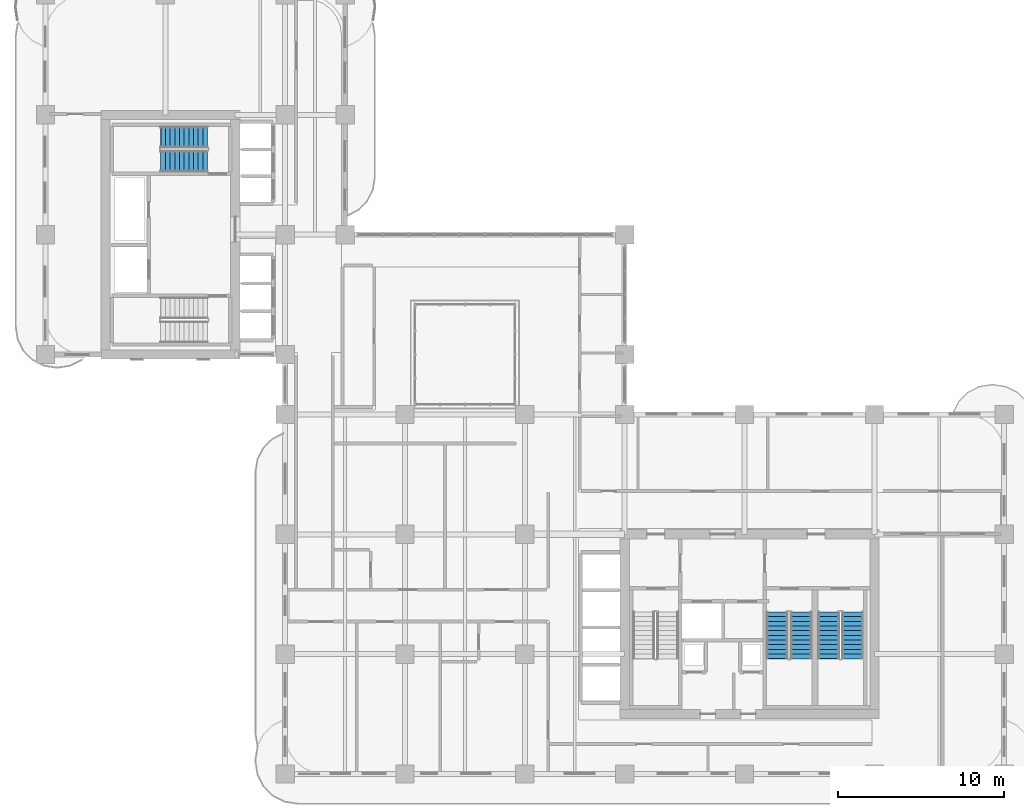
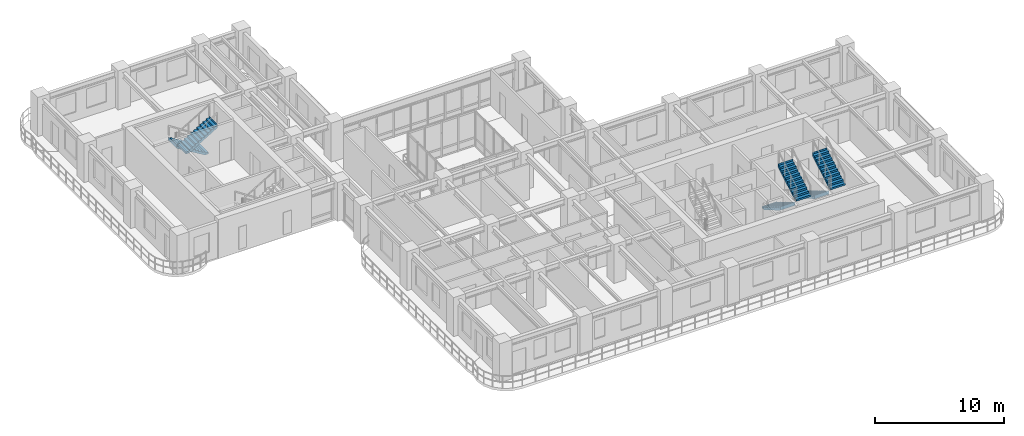
# One storey, part 14 of 19: 6 stair flights, 3 elements without a shape of their own.
"""IFC4 building model written with IfcOpenShell, lengths in metres."""

from ifc_helpers import new_model, si_unit, derived_unit, direction, frame, origin, place, context, subcontext, project, spatial, polyline, outline, extrude, source, transform, mapped, material, layer, layer_set, type_object, element, aggregate, save


model = new_model("IFC4")

# Units and contexts
model_context = context("Model", 3, precision=1e-05, world=origin(), true_north=direction((0.0, 1.0)))
body_context = subcontext(model_context, "Body", "Model", "MODEL_VIEW")
ifc_project = project(units=[si_unit("LENGTHUNIT", "METRE"), si_unit("AREAUNIT", "SQUARE_METRE"), si_unit("VOLUMEUNIT", "CUBIC_METRE"), si_unit("PLANEANGLEUNIT", "RADIAN"), si_unit("MASSUNIT", "GRAM", prefix="KILO"), si_unit("THERMODYNAMICTEMPERATUREUNIT", "KELVIN"), si_unit("POWERUNIT", "WATT"), derived_unit("THERMALTRANSMITTANCEUNIT", [(si_unit("POWERUNIT", "WATT"), 1), (si_unit("AREAUNIT", "SQUARE_METRE"), -1), (si_unit("THERMODYNAMICTEMPERATUREUNIT", "KELVIN"), -1)])], contexts=[model_context])

# Site, building, storey
site_placement = place(None, origin())
site = spatial("IfcSite", under=ifc_project, at=site_placement, CompositionType="ELEMENT")
building_placement = place(site_placement, origin())
building = spatial("IfcBuilding", under=site, at=building_placement, Name="Zahravan Archway Hotel and Residences", CompositionType="ELEMENT")
storey_placement = place(building_placement, frame((0.0, 0.0, 102.699951171875)))
storey = spatial("IfcBuildingStorey", under=building, at=storey_placement, Name="L25", CompositionType="ELEMENT", Elevation=102.699951171875)

# Stair, stair flights
ifc_material = material(Name="Concrete C50/60", Category="concrete")
stair_type = type_object("IfcStairType", Name="STR-CORE-1300", PredefinedType="HALF_TURN_STAIR", material=ifc_material)
stair_1_placement = place(storey_placement, origin())
stair_1 = element("IfcStair", 1, at=stair_1_placement, inside=storey, type_object=stair_type, Name="L25 Core A Exit Stair 2", PredefinedType="HALF_TURN_STAIR")
ifc_layer = layer(ifc_material, 0.199951171875, Name="Concrete C50/60", Category="concrete")
ifc_layer_set = layer_set([ifc_layer], Name="Concrete C50/60")
stair_flight_type = type_object("IfcStairFlightType", Name="SFL-CORE-1300", PredefinedType="STRAIGHT", material=ifc_layer_set)
shared_shape = source(origin(), body_context, "Body", "SweptSolid", [
    extrude(outline(polyline([(-0.01611328125, 0.0), (-0.01611328125, 0.168212890625), (0.280029296875, 0.168212890625), (0.280029296875, 0.33642578125), (0.56005859375, 0.33642578125), (0.56005859375, 0.504638671875), (0.840087890625, 0.504638671875), (0.840087890625, 0.672607421875), (1.1201171875, 0.672607421875), (1.1201171875, 0.8408203125), (1.39990234375, 0.8408203125), (1.39990234375, 1.009033203125), (1.679931640625, 1.009033203125), (1.679931640625, 1.17724609375), (1.9599609375, 1.17724609375), (1.9599609375, 1.345458984375), (2.239990234375, 1.345458984375), (2.239990234375, 1.513671875), (2.52001953125, 1.513671875), (2.52001953125, 1.681884765625), (2.800048828125, 1.681884765625), (2.800048828125, 1.85009765625), (2.816162109375, 1.85009765625), (2.816162109375, 1.5068359375), (0.291015625, 0.0), (-0.01611328125, 0.0)])), frame((0.0, 0.64990234375, 0.0), z_axis=(0.0, -1.0, 0.0), x_axis=(1.0, 0.0, 0.0)), (0.0, 0.0, 1.0), 1.300048828125),
])
stair_flight_1_placement = place(storey_placement, frame((43.969970703125, 9.72998046875, 0.0), z_axis=(0.0, 0.0, 1.0), x_axis=(0.0, -1.0, 0.0)))
stair_flight_1 = element("IfcStairFlight", 2, at=stair_flight_1_placement, type_object=stair_flight_type, Name="ST-A2 flight 1", NumberOfRisers=11, NumberOfTreads=10, PredefinedType="STRAIGHT", RiserHeight=0.168181818, TreadLength=0.28, context=body_context, shape_type="MappedRepresentation", body=[
    mapped(shared_shape, transform((0.0, 0.0, 0.0), scale=1.0)),
])
stair_flight_2_placement = place(storey_placement, frame((45.409912109375, 6.929931640625, 1.85009765625), z_axis=(0.0, 0.0, 1.0), x_axis=(0.0, 1.0, 0.0)))
stair_flight_2 = element("IfcStairFlight", 3, at=stair_flight_2_placement, type_object=stair_flight_type, Name="ST-A2 flight 2", NumberOfRisers=11, NumberOfTreads=10, PredefinedType="STRAIGHT", RiserHeight=0.168181818, TreadLength=0.28, context=body_context, shape_type="MappedRepresentation", body=[
    mapped(shared_shape, transform((0.0, 0.0, 0.0), scale=1.0)),
])
aggregate(stair_1, [stair_flight_1, stair_flight_2])

stair_2_placement = place(storey_placement, origin())
stair_2 = element("IfcStair", 4, at=stair_2_placement, inside=storey, type_object=stair_type, Name="L25 Core A Exit Stair 3", PredefinedType="HALF_TURN_STAIR")
stair_flight_3_placement = place(storey_placement, frame((47.050048828125, 9.72998046875, 0.0), z_axis=(0.0, 0.0, 1.0), x_axis=(0.0, -1.0, 0.0)))
stair_flight_3 = element("IfcStairFlight", 5, at=stair_flight_3_placement, type_object=stair_flight_type, Name="ST-A3 flight 1", NumberOfRisers=11, NumberOfTreads=10, PredefinedType="STRAIGHT", RiserHeight=0.168181818, TreadLength=0.28, context=body_context, shape_type="MappedRepresentation", body=[
    mapped(shared_shape, transform((0.0, 0.0, 0.0), scale=1.0)),
])
stair_flight_4_placement = place(storey_placement, frame((48.489990234375, 6.929931640625, 1.85009765625), z_axis=(0.0, 0.0, 1.0), x_axis=(0.0, 1.0, 0.0)))
stair_flight_4 = element("IfcStairFlight", 6, at=stair_flight_4_placement, type_object=stair_flight_type, Name="ST-A3 flight 2", NumberOfRisers=11, NumberOfTreads=10, PredefinedType="STRAIGHT", RiserHeight=0.168181818, TreadLength=0.28, context=body_context, shape_type="MappedRepresentation", body=[
    mapped(shared_shape, transform((0.0, 0.0, 0.0), scale=1.0)),
])
aggregate(stair_2, [stair_flight_3, stair_flight_4])

stair_3_placement = place(storey_placement, origin())
stair_3 = element("IfcStair", 7, at=stair_3_placement, inside=storey, type_object=stair_type, Name="L25 Core B Exit Stair 2", PredefinedType="HALF_TURN_STAIR")
stair_flight_5_placement = place(storey_placement, frame((9.72998046875, 38.25, 0.0), z_axis=(0.0, 0.0, 1.0), x_axis=(-1.0, 0.0, 0.0)))
stair_flight_5 = element("IfcStairFlight", 8, at=stair_flight_5_placement, type_object=stair_flight_type, Name="ST-B2 flight 1", NumberOfRisers=11, NumberOfTreads=10, PredefinedType="STRAIGHT", RiserHeight=0.168181818, TreadLength=0.28, context=body_context, shape_type="MappedRepresentation", body=[
    mapped(shared_shape, transform((0.0, 0.0, 0.0), scale=1.0)),
])
stair_flight_6_placement = place(storey_placement, frame((6.929931640625, 36.81005859375, 1.85009765625), z_axis=(0.0, 0.0, 1.0), x_axis=(1.0, 0.0, 0.0)))
stair_flight_6 = element("IfcStairFlight", 9, at=stair_flight_6_placement, type_object=stair_flight_type, Name="ST-B2 flight 2", NumberOfRisers=11, NumberOfTreads=10, PredefinedType="STRAIGHT", RiserHeight=0.168181818, TreadLength=0.28, context=body_context, shape_type="MappedRepresentation", body=[
    mapped(shared_shape, transform((0.0, 0.0, 0.0), scale=1.0)),
])
aggregate(stair_3, [stair_flight_5, stair_flight_6])

save(model, "model.ifc")
